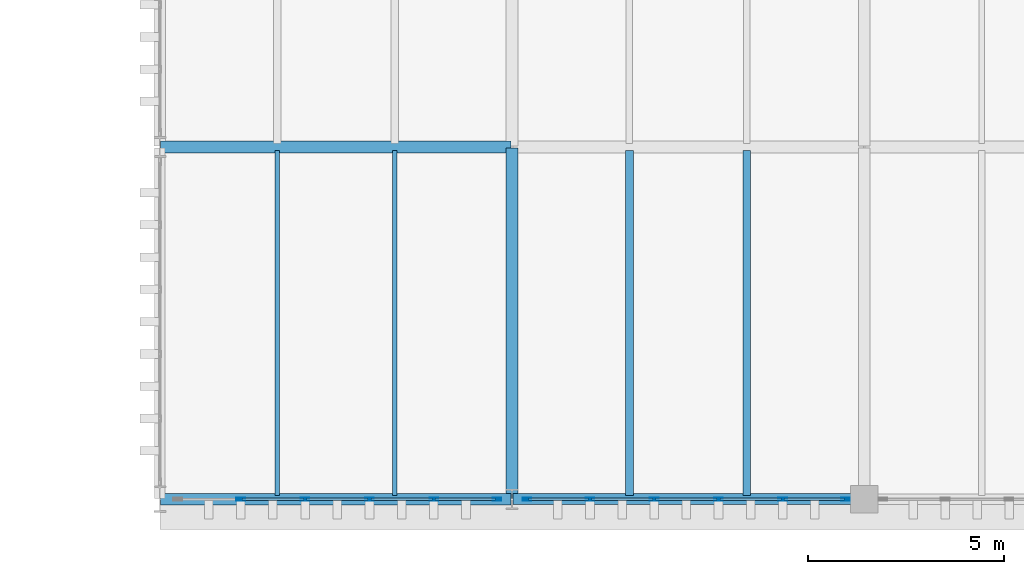
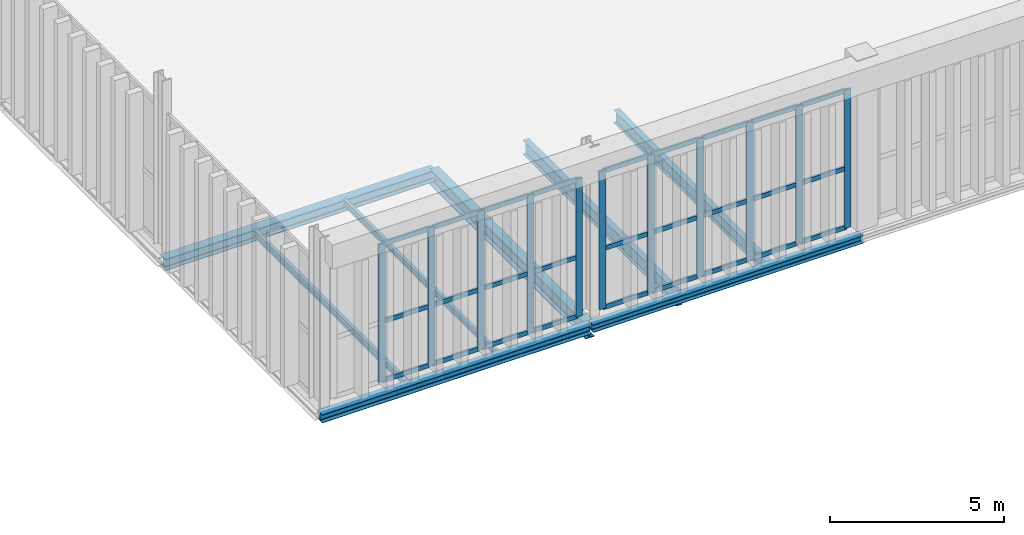
# One storey, part 112 of 237: 38 members, 8 beams, 2 elements without a shape of their own.
"""IFC4 building model written with IfcOpenShell, lengths in metres."""

from ifc_helpers import new_model, si_unit, direction, frame, origin, origin_2d, place, context, subcontext, project, spatial, hollow_rectangle, i_section, extrude, material, layer, layer_set, material_profile, profile_set, type_object, element, aggregate, save


model = new_model("IFC4")

# Units and contexts
model_context = context("Model", 3, precision=1e-05, world=origin(), true_north=direction((0.0, 1.0)))
body_context = subcontext(model_context, "Body", "Model", "MODEL_VIEW")
ifc_project = project(units=[si_unit("LENGTHUNIT", "METRE"), si_unit("AREAUNIT", "SQUARE_METRE"), si_unit("VOLUMEUNIT", "CUBIC_METRE"), si_unit("PLANEANGLEUNIT", "RADIAN"), si_unit("MASSUNIT", "GRAM", prefix="KILO")], contexts=[model_context])

# Site, building, storey
site_placement = place(None, origin())
site = spatial("IfcSite", under=ifc_project, at=site_placement, CompositionType="ELEMENT")
building_placement = place(site_placement, origin())
building = spatial("IfcBuilding", under=site, at=building_placement, Name="Barlavento Convention Centre", CompositionType="ELEMENT")
storey_placement = place(building_placement, frame((0.0, 0.0, 12.0)))
storey = spatial("IfcBuildingStorey", under=building, at=storey_placement, Name="L02", CompositionType="ELEMENT", Elevation=12.0)

# Curtain wall, members
ifc_material_1 = material(Name="Powder-coated aluminium and Low-E glass", Category="aluminium")
ifc_layer = layer(ifc_material_1, 0.195068359375)
ifc_layer_set = layer_set([ifc_layer], Name="ARC-CW-BALL-L02")
curtain_wall_type = type_object("IfcCurtainWallType", Name="ARC-CW-BALL-L02", PredefinedType="NOTDEFINED", material=ifc_layer_set)
curtain_wall_1_placement = place(storey_placement, origin())
curtain_wall_1 = element("IfcCurtainWall", 1, at=curtain_wall_1_placement, inside=storey, type_object=curtain_wall_type, Name="L02 unitised curtain wall CW07", PredefinedType="NOTDEFINED")
ifc_material_2 = material(Name="Powder-coated aluminium", Category="aluminium")
ifc_material_profile_1 = material_profile(ifc_material_2, hollow_rectangle(XDim=0.070068359375, YDim=0.219970703125, WallThickness=0.006103515625, at=origin_2d()), Name="AL-MULL 70x220x6")
ifc_profile_set_1 = profile_set([ifc_material_profile_1], Name="Powder-coated aluminium")
member_type_1 = type_object("IfcMemberType", Name="ARC-CWM-70X220", PredefinedType="MULLION", material=ifc_profile_set_1)
member_1_placement = place(storey_placement, frame((128.06884765625, 0.0, 0.0), z_axis=(0.0, 0.0, 1.0), x_axis=(0.0, 1.0, 0.0)))
member_1 = element("IfcMember", 2, at=member_1_placement, type_object=member_type_1, Name="CW07 mullion 2", PredefinedType="MULLION", context=body_context, shape_type="SweptSolid", body=[
    extrude(hollow_rectangle(XDim=0.070068359375, YDim=0.219970703125, WallThickness=0.006103515625, at=origin_2d()), origin(), (0.0, 0.0, 1.0), 4.85009765625),
])
member_2_placement = place(storey_placement, frame((129.713623046875, 0.0, 0.0), z_axis=(0.0, 0.0, 1.0), x_axis=(0.0, 1.0, 0.0)))
member_2 = element("IfcMember", 3, at=member_2_placement, type_object=member_type_1, Name="CW07 mullion 3", PredefinedType="MULLION", context=body_context, shape_type="SweptSolid", body=[
    extrude(hollow_rectangle(XDim=0.070068359375, YDim=0.219970703125, WallThickness=0.006103515625, at=origin_2d()), origin(), (0.0, 0.0, 1.0), 4.85009765625),
])
member_3_placement = place(storey_placement, frame((131.3583984375, 0.0, 0.0), z_axis=(0.0, 0.0, 1.0), x_axis=(0.0, 1.0, 0.0)))
member_3 = element("IfcMember", 4, at=member_3_placement, type_object=member_type_1, Name="CW07 mullion 4", PredefinedType="MULLION", context=body_context, shape_type="SweptSolid", body=[
    extrude(hollow_rectangle(XDim=0.070068359375, YDim=0.219970703125, WallThickness=0.006103515625, at=origin_2d()), origin(), (0.0, 0.0, 1.0), 4.85009765625),
])
member_4_placement = place(storey_placement, frame((133.003173828125, 0.0, 0.0), z_axis=(0.0, 0.0, 1.0), x_axis=(0.0, 1.0, 0.0)))
member_4 = element("IfcMember", 5, at=member_4_placement, type_object=member_type_1, Name="CW07 mullion 5", PredefinedType="MULLION", context=body_context, shape_type="SweptSolid", body=[
    extrude(hollow_rectangle(XDim=0.070068359375, YDim=0.219970703125, WallThickness=0.006103515625, at=origin_2d()), origin(), (0.0, 0.0, 1.0), 4.85009765625),
])
member_5_placement = place(storey_placement, frame((134.613037109375, 0.0, 0.0), z_axis=(0.0, 0.0, 1.0), x_axis=(0.0, 1.0, 0.0)))
member_5 = element("IfcMember", 6, at=member_5_placement, type_object=member_type_1, Name="CW07 mullion 6", PredefinedType="MULLION", context=body_context, shape_type="SweptSolid", body=[
    extrude(hollow_rectangle(XDim=0.070068359375, YDim=0.219970703125, WallThickness=0.006103515625, at=origin_2d()), origin(), (0.0, 0.0, 1.0), 4.85009765625),
])

curtain_wall_2_placement = place(storey_placement, origin())
curtain_wall_2 = element("IfcCurtainWall", 7, at=curtain_wall_2_placement, inside=storey, type_object=curtain_wall_type, Name="L02 unitised curtain wall CW07", PredefinedType="NOTDEFINED")
member_6_placement = place(storey_placement, frame((135.386962890625, 0.0, 0.0), z_axis=(0.0, 0.0, 1.0), x_axis=(0.0, 1.0, 0.0)))
member_6 = element("IfcMember", 8, at=member_6_placement, type_object=member_type_1, Name="CW07 mullion 1", PredefinedType="MULLION", context=body_context, shape_type="SweptSolid", body=[
    extrude(hollow_rectangle(XDim=0.070068359375, YDim=0.219970703125, WallThickness=0.006103515625, at=origin_2d()), origin(), (0.0, 0.0, 1.0), 4.85009765625),
])
member_7_placement = place(storey_placement, frame((136.99365234375, 0.0, 0.0), z_axis=(0.0, 0.0, 1.0), x_axis=(0.0, 1.0, 0.0)))
member_7 = element("IfcMember", 9, at=member_7_placement, type_object=member_type_1, Name="CW07 mullion 2", PredefinedType="MULLION", context=body_context, shape_type="SweptSolid", body=[
    extrude(hollow_rectangle(XDim=0.070068359375, YDim=0.219970703125, WallThickness=0.006103515625, at=origin_2d()), origin(), (0.0, 0.0, 1.0), 4.85009765625),
])
member_8_placement = place(storey_placement, frame((138.63525390625, 0.0, 0.0), z_axis=(0.0, 0.0, 1.0), x_axis=(0.0, 1.0, 0.0)))
member_8 = element("IfcMember", 10, at=member_8_placement, type_object=member_type_1, Name="CW07 mullion 3", PredefinedType="MULLION", context=body_context, shape_type="SweptSolid", body=[
    extrude(hollow_rectangle(XDim=0.070068359375, YDim=0.219970703125, WallThickness=0.006103515625, at=origin_2d()), origin(), (0.0, 0.0, 1.0), 4.85009765625),
])
member_9_placement = place(storey_placement, frame((140.27685546875, 0.0, 0.0), z_axis=(0.0, 0.0, 1.0), x_axis=(0.0, 1.0, 0.0)))
member_9 = element("IfcMember", 11, at=member_9_placement, type_object=member_type_1, Name="CW07 mullion 4", PredefinedType="MULLION", context=body_context, shape_type="SweptSolid", body=[
    extrude(hollow_rectangle(XDim=0.070068359375, YDim=0.219970703125, WallThickness=0.006103515625, at=origin_2d()), origin(), (0.0, 0.0, 1.0), 4.85009765625),
])
member_10_placement = place(storey_placement, frame((141.91845703125, 0.0, 0.0), z_axis=(0.0, 0.0, 1.0), x_axis=(0.0, 1.0, 0.0)))
member_10 = element("IfcMember", 12, at=member_10_placement, type_object=member_type_1, Name="CW07 mullion 5", PredefinedType="MULLION", context=body_context, shape_type="SweptSolid", body=[
    extrude(hollow_rectangle(XDim=0.070068359375, YDim=0.219970703125, WallThickness=0.006103515625, at=origin_2d()), origin(), (0.0, 0.0, 1.0), 4.85009765625),
])
member_11_placement = place(storey_placement, frame((143.52490234375, 0.0, 0.0), z_axis=(0.0, 0.0, 1.0), x_axis=(0.0, 1.0, 0.0)))
member_11 = element("IfcMember", 13, at=member_11_placement, type_object=member_type_1, Name="CW07 mullion 6", PredefinedType="MULLION", context=body_context, shape_type="SweptSolid", body=[
    extrude(hollow_rectangle(XDim=0.070068359375, YDim=0.219970703125, WallThickness=0.006103515625, at=origin_2d()), origin(), (0.0, 0.0, 1.0), 4.85009765625),
])

# Member
ifc_material_profile_2 = material_profile(ifc_material_2, hollow_rectangle(XDim=0.06494140625, YDim=0.159912109375, WallThickness=0.0048828125, at=origin_2d()), Name="AL-TRAN 65x160x5")
ifc_profile_set_2 = profile_set([ifc_material_profile_2], Name="Powder-coated aluminium")
member_type_2 = type_object("IfcMemberType", Name="ARC-CWT-65X160", PredefinedType="USERDEFINED", material=ifc_profile_set_2)
member_12_placement = place(storey_placement, frame((128.103759765625, 0.0, 0.032470703125), z_axis=(1.0, 0.0, 0.0), x_axis=(0.0, 1.0, 0.0)))
member_12 = element("IfcMember", 14, at=member_12_placement, type_object=member_type_2, Name="CW07 transom 2.1", ObjectType="TRANSOM", PredefinedType="USERDEFINED", context=body_context, shape_type="SweptSolid", body=[
    extrude(hollow_rectangle(XDim=0.06494140625, YDim=0.159912109375, WallThickness=0.0048828125, at=origin_2d()), origin(), (0.0, 0.0, 1.0), 1.574951171875),
])

member_13_placement = place(storey_placement, frame((128.103759765625, 0.0, 2.10009765625), z_axis=(1.0, 0.0, 0.0), x_axis=(0.0, 1.0, 0.0)))
member_13 = element("IfcMember", 15, at=member_13_placement, type_object=member_type_2, Name="CW07 transom 2.2", ObjectType="TRANSOM", PredefinedType="USERDEFINED", context=body_context, shape_type="SweptSolid", body=[
    extrude(hollow_rectangle(XDim=0.06494140625, YDim=0.159912109375, WallThickness=0.0048828125, at=origin_2d()), origin(), (0.0, 0.0, 1.0), 1.574951171875),
])

member_14_placement = place(storey_placement, frame((128.103759765625, 0.0, 4.8173828125), z_axis=(1.0, 0.0, 0.0), x_axis=(0.0, 1.0, 0.0)))
member_14 = element("IfcMember", 16, at=member_14_placement, type_object=member_type_2, Name="CW07 transom 2.3", ObjectType="TRANSOM", PredefinedType="USERDEFINED", context=body_context, shape_type="SweptSolid", body=[
    extrude(hollow_rectangle(XDim=0.06494140625, YDim=0.159912109375, WallThickness=0.0048828125, at=origin_2d()), origin(), (0.0, 0.0, 1.0), 1.574951171875),
])

member_15_placement = place(storey_placement, frame((129.74853515625, 0.0, 0.032470703125), z_axis=(1.0, 0.0, 0.0), x_axis=(0.0, 1.0, 0.0)))
member_15 = element("IfcMember", 17, at=member_15_placement, type_object=member_type_2, Name="CW07 transom 3.1", ObjectType="TRANSOM", PredefinedType="USERDEFINED", context=body_context, shape_type="SweptSolid", body=[
    extrude(hollow_rectangle(XDim=0.06494140625, YDim=0.159912109375, WallThickness=0.0048828125, at=origin_2d()), origin(), (0.0, 0.0, 1.0), 1.574951171875),
])

member_16_placement = place(storey_placement, frame((129.74853515625, 0.0, 2.10009765625), z_axis=(1.0, 0.0, 0.0), x_axis=(0.0, 1.0, 0.0)))
member_16 = element("IfcMember", 18, at=member_16_placement, type_object=member_type_2, Name="CW07 transom 3.2", ObjectType="TRANSOM", PredefinedType="USERDEFINED", context=body_context, shape_type="SweptSolid", body=[
    extrude(hollow_rectangle(XDim=0.06494140625, YDim=0.159912109375, WallThickness=0.0048828125, at=origin_2d()), origin(), (0.0, 0.0, 1.0), 1.574951171875),
])

member_17_placement = place(storey_placement, frame((129.74853515625, 0.0, 4.8173828125), z_axis=(1.0, 0.0, 0.0), x_axis=(0.0, 1.0, 0.0)))
member_17 = element("IfcMember", 19, at=member_17_placement, type_object=member_type_2, Name="CW07 transom 3.3", ObjectType="TRANSOM", PredefinedType="USERDEFINED", context=body_context, shape_type="SweptSolid", body=[
    extrude(hollow_rectangle(XDim=0.06494140625, YDim=0.159912109375, WallThickness=0.0048828125, at=origin_2d()), origin(), (0.0, 0.0, 1.0), 1.574951171875),
])

member_18_placement = place(storey_placement, frame((131.393310546875, 0.0, 0.032470703125), z_axis=(1.0, 0.0, 0.0), x_axis=(0.0, 1.0, 0.0)))
member_18 = element("IfcMember", 20, at=member_18_placement, type_object=member_type_2, Name="CW07 transom 4.1", ObjectType="TRANSOM", PredefinedType="USERDEFINED", context=body_context, shape_type="SweptSolid", body=[
    extrude(hollow_rectangle(XDim=0.06494140625, YDim=0.159912109375, WallThickness=0.0048828125, at=origin_2d()), origin(), (0.0, 0.0, 1.0), 1.574951171875),
])

member_19_placement = place(storey_placement, frame((131.393310546875, 0.0, 2.10009765625), z_axis=(1.0, 0.0, 0.0), x_axis=(0.0, 1.0, 0.0)))
member_19 = element("IfcMember", 21, at=member_19_placement, type_object=member_type_2, Name="CW07 transom 4.2", ObjectType="TRANSOM", PredefinedType="USERDEFINED", context=body_context, shape_type="SweptSolid", body=[
    extrude(hollow_rectangle(XDim=0.06494140625, YDim=0.159912109375, WallThickness=0.0048828125, at=origin_2d()), origin(), (0.0, 0.0, 1.0), 1.574951171875),
])

member_20_placement = place(storey_placement, frame((131.393310546875, 0.0, 4.8173828125), z_axis=(1.0, 0.0, 0.0), x_axis=(0.0, 1.0, 0.0)))
member_20 = element("IfcMember", 22, at=member_20_placement, type_object=member_type_2, Name="CW07 transom 4.3", ObjectType="TRANSOM", PredefinedType="USERDEFINED", context=body_context, shape_type="SweptSolid", body=[
    extrude(hollow_rectangle(XDim=0.06494140625, YDim=0.159912109375, WallThickness=0.0048828125, at=origin_2d()), origin(), (0.0, 0.0, 1.0), 1.574951171875),
])

member_21_placement = place(storey_placement, frame((133.0380859375, 0.0, 0.032470703125), z_axis=(1.0, 0.0, 0.0), x_axis=(0.0, 1.0, 0.0)))
member_21 = element("IfcMember", 23, at=member_21_placement, type_object=member_type_2, Name="CW07 transom 5.1", ObjectType="TRANSOM", PredefinedType="USERDEFINED", context=body_context, shape_type="SweptSolid", body=[
    extrude(hollow_rectangle(XDim=0.06494140625, YDim=0.159912109375, WallThickness=0.0048828125, at=origin_2d()), origin(), (0.0, 0.0, 1.0), 1.539794921875),
])

member_22_placement = place(storey_placement, frame((133.0380859375, 0.0, 2.10009765625), z_axis=(1.0, 0.0, 0.0), x_axis=(0.0, 1.0, 0.0)))
member_22 = element("IfcMember", 24, at=member_22_placement, type_object=member_type_2, Name="CW07 transom 5.2", ObjectType="TRANSOM", PredefinedType="USERDEFINED", context=body_context, shape_type="SweptSolid", body=[
    extrude(hollow_rectangle(XDim=0.06494140625, YDim=0.159912109375, WallThickness=0.0048828125, at=origin_2d()), origin(), (0.0, 0.0, 1.0), 1.539794921875),
])

member_23_placement = place(storey_placement, frame((133.0380859375, 0.0, 4.8173828125), z_axis=(1.0, 0.0, 0.0), x_axis=(0.0, 1.0, 0.0)))
member_23 = element("IfcMember", 25, at=member_23_placement, type_object=member_type_2, Name="CW07 transom 5.3", ObjectType="TRANSOM", PredefinedType="USERDEFINED", context=body_context, shape_type="SweptSolid", body=[
    extrude(hollow_rectangle(XDim=0.06494140625, YDim=0.159912109375, WallThickness=0.0048828125, at=origin_2d()), origin(), (0.0, 0.0, 1.0), 1.539794921875),
])

aggregate(curtain_wall_1, [member_1, member_2, member_3, member_4, member_5, member_12, member_13, member_14, member_15, member_16, member_17, member_18, member_19, member_20, member_21, member_22, member_23])

member_24_placement = place(storey_placement, frame((135.422119140625, 0.0, 0.032470703125), z_axis=(1.0, 0.0, 0.0), x_axis=(0.0, 1.0, 0.0)))
member_24 = element("IfcMember", 26, at=member_24_placement, type_object=member_type_2, Name="CW07 transom 1.1", ObjectType="TRANSOM", PredefinedType="USERDEFINED", context=body_context, shape_type="SweptSolid", body=[
    extrude(hollow_rectangle(XDim=0.06494140625, YDim=0.159912109375, WallThickness=0.0048828125, at=origin_2d()), origin(), (0.0, 0.0, 1.0), 1.536376953125),
])

member_25_placement = place(storey_placement, frame((135.422119140625, 0.0, 2.10009765625), z_axis=(1.0, 0.0, 0.0), x_axis=(0.0, 1.0, 0.0)))
member_25 = element("IfcMember", 27, at=member_25_placement, type_object=member_type_2, Name="CW07 transom 1.2", ObjectType="TRANSOM", PredefinedType="USERDEFINED", context=body_context, shape_type="SweptSolid", body=[
    extrude(hollow_rectangle(XDim=0.06494140625, YDim=0.159912109375, WallThickness=0.0048828125, at=origin_2d()), origin(), (0.0, 0.0, 1.0), 1.536376953125),
])

member_26_placement = place(storey_placement, frame((135.422119140625, 0.0, 4.8173828125), z_axis=(1.0, 0.0, 0.0), x_axis=(0.0, 1.0, 0.0)))
member_26 = element("IfcMember", 28, at=member_26_placement, type_object=member_type_2, Name="CW07 transom 1.3", ObjectType="TRANSOM", PredefinedType="USERDEFINED", context=body_context, shape_type="SweptSolid", body=[
    extrude(hollow_rectangle(XDim=0.06494140625, YDim=0.159912109375, WallThickness=0.0048828125, at=origin_2d()), origin(), (0.0, 0.0, 1.0), 1.536376953125),
])

member_27_placement = place(storey_placement, frame((137.028564453125, 0.0, 0.032470703125), z_axis=(1.0, 0.0, 0.0), x_axis=(0.0, 1.0, 0.0)))
member_27 = element("IfcMember", 29, at=member_27_placement, type_object=member_type_2, Name="CW07 transom 2.1", ObjectType="TRANSOM", PredefinedType="USERDEFINED", context=body_context, shape_type="SweptSolid", body=[
    extrude(hollow_rectangle(XDim=0.06494140625, YDim=0.159912109375, WallThickness=0.0048828125, at=origin_2d()), origin(), (0.0, 0.0, 1.0), 1.571533203125),
])

member_28_placement = place(storey_placement, frame((137.028564453125, 0.0, 2.10009765625), z_axis=(1.0, 0.0, 0.0), x_axis=(0.0, 1.0, 0.0)))
member_28 = element("IfcMember", 30, at=member_28_placement, type_object=member_type_2, Name="CW07 transom 2.2", ObjectType="TRANSOM", PredefinedType="USERDEFINED", context=body_context, shape_type="SweptSolid", body=[
    extrude(hollow_rectangle(XDim=0.06494140625, YDim=0.159912109375, WallThickness=0.0048828125, at=origin_2d()), origin(), (0.0, 0.0, 1.0), 1.571533203125),
])

member_29_placement = place(storey_placement, frame((137.028564453125, 0.0, 4.8173828125), z_axis=(1.0, 0.0, 0.0), x_axis=(0.0, 1.0, 0.0)))
member_29 = element("IfcMember", 31, at=member_29_placement, type_object=member_type_2, Name="CW07 transom 2.3", ObjectType="TRANSOM", PredefinedType="USERDEFINED", context=body_context, shape_type="SweptSolid", body=[
    extrude(hollow_rectangle(XDim=0.06494140625, YDim=0.159912109375, WallThickness=0.0048828125, at=origin_2d()), origin(), (0.0, 0.0, 1.0), 1.571533203125),
])

member_30_placement = place(storey_placement, frame((138.670166015625, 0.0, 0.032470703125), z_axis=(1.0, 0.0, 0.0), x_axis=(0.0, 1.0, 0.0)))
member_30 = element("IfcMember", 32, at=member_30_placement, type_object=member_type_2, Name="CW07 transom 3.1", ObjectType="TRANSOM", PredefinedType="USERDEFINED", context=body_context, shape_type="SweptSolid", body=[
    extrude(hollow_rectangle(XDim=0.06494140625, YDim=0.159912109375, WallThickness=0.0048828125, at=origin_2d()), origin(), (0.0, 0.0, 1.0), 1.571533203125),
])

member_31_placement = place(storey_placement, frame((138.670166015625, 0.0, 2.10009765625), z_axis=(1.0, 0.0, 0.0), x_axis=(0.0, 1.0, 0.0)))
member_31 = element("IfcMember", 33, at=member_31_placement, type_object=member_type_2, Name="CW07 transom 3.2", ObjectType="TRANSOM", PredefinedType="USERDEFINED", context=body_context, shape_type="SweptSolid", body=[
    extrude(hollow_rectangle(XDim=0.06494140625, YDim=0.159912109375, WallThickness=0.0048828125, at=origin_2d()), origin(), (0.0, 0.0, 1.0), 1.571533203125),
])

member_32_placement = place(storey_placement, frame((138.670166015625, 0.0, 4.8173828125), z_axis=(1.0, 0.0, 0.0), x_axis=(0.0, 1.0, 0.0)))
member_32 = element("IfcMember", 34, at=member_32_placement, type_object=member_type_2, Name="CW07 transom 3.3", ObjectType="TRANSOM", PredefinedType="USERDEFINED", context=body_context, shape_type="SweptSolid", body=[
    extrude(hollow_rectangle(XDim=0.06494140625, YDim=0.159912109375, WallThickness=0.0048828125, at=origin_2d()), origin(), (0.0, 0.0, 1.0), 1.571533203125),
])

member_33_placement = place(storey_placement, frame((140.311767578125, 0.0, 0.032470703125), z_axis=(1.0, 0.0, 0.0), x_axis=(0.0, 1.0, 0.0)))
member_33 = element("IfcMember", 35, at=member_33_placement, type_object=member_type_2, Name="CW07 transom 4.1", ObjectType="TRANSOM", PredefinedType="USERDEFINED", context=body_context, shape_type="SweptSolid", body=[
    extrude(hollow_rectangle(XDim=0.06494140625, YDim=0.159912109375, WallThickness=0.0048828125, at=origin_2d()), origin(), (0.0, 0.0, 1.0), 1.571533203125),
])

member_34_placement = place(storey_placement, frame((140.311767578125, 0.0, 2.10009765625), z_axis=(1.0, 0.0, 0.0), x_axis=(0.0, 1.0, 0.0)))
member_34 = element("IfcMember", 36, at=member_34_placement, type_object=member_type_2, Name="CW07 transom 4.2", ObjectType="TRANSOM", PredefinedType="USERDEFINED", context=body_context, shape_type="SweptSolid", body=[
    extrude(hollow_rectangle(XDim=0.06494140625, YDim=0.159912109375, WallThickness=0.0048828125, at=origin_2d()), origin(), (0.0, 0.0, 1.0), 1.571533203125),
])

member_35_placement = place(storey_placement, frame((140.311767578125, 0.0, 4.8173828125), z_axis=(1.0, 0.0, 0.0), x_axis=(0.0, 1.0, 0.0)))
member_35 = element("IfcMember", 37, at=member_35_placement, type_object=member_type_2, Name="CW07 transom 4.3", ObjectType="TRANSOM", PredefinedType="USERDEFINED", context=body_context, shape_type="SweptSolid", body=[
    extrude(hollow_rectangle(XDim=0.06494140625, YDim=0.159912109375, WallThickness=0.0048828125, at=origin_2d()), origin(), (0.0, 0.0, 1.0), 1.571533203125),
])

member_36_placement = place(storey_placement, frame((141.953369140625, 0.0, 0.032470703125), z_axis=(1.0, 0.0, 0.0), x_axis=(0.0, 1.0, 0.0)))
member_36 = element("IfcMember", 38, at=member_36_placement, type_object=member_type_2, Name="CW07 transom 5.1", ObjectType="TRANSOM", PredefinedType="USERDEFINED", context=body_context, shape_type="SweptSolid", body=[
    extrude(hollow_rectangle(XDim=0.06494140625, YDim=0.159912109375, WallThickness=0.0048828125, at=origin_2d()), origin(), (0.0, 0.0, 1.0), 1.53662109375),
])

member_37_placement = place(storey_placement, frame((141.953369140625, 0.0, 2.10009765625), z_axis=(1.0, 0.0, 0.0), x_axis=(0.0, 1.0, 0.0)))
member_37 = element("IfcMember", 39, at=member_37_placement, type_object=member_type_2, Name="CW07 transom 5.2", ObjectType="TRANSOM", PredefinedType="USERDEFINED", context=body_context, shape_type="SweptSolid", body=[
    extrude(hollow_rectangle(XDim=0.06494140625, YDim=0.159912109375, WallThickness=0.0048828125, at=origin_2d()), origin(), (0.0, 0.0, 1.0), 1.53662109375),
])

member_38_placement = place(storey_placement, frame((141.953369140625, 0.0, 4.8173828125), z_axis=(1.0, 0.0, 0.0), x_axis=(0.0, 1.0, 0.0)))
member_38 = element("IfcMember", 40, at=member_38_placement, type_object=member_type_2, Name="CW07 transom 5.3", ObjectType="TRANSOM", PredefinedType="USERDEFINED", context=body_context, shape_type="SweptSolid", body=[
    extrude(hollow_rectangle(XDim=0.06494140625, YDim=0.159912109375, WallThickness=0.0048828125, at=origin_2d()), origin(), (0.0, 0.0, 1.0), 1.53662109375),
])

aggregate(curtain_wall_2, [member_6, member_7, member_8, member_9, member_10, member_11, member_24, member_25, member_26, member_27, member_28, member_29, member_30, member_31, member_32, member_33, member_34, member_35, member_36, member_37, member_38])

# Beams
ifc_material_3 = material(Name="Steel S355", Category="steel")
ifc_material_profile_3 = material_profile(ifc_material_3, i_section(OverallWidth=0.110107421875, OverallDepth=0.219970703125, WebThickness=0.005859375, FlangeThickness=0.00927734375, FilletRadius=0.011962890625, at=origin_2d()), Name="IPE 220")
ifc_profile_set_3 = profile_set([ifc_material_profile_3], Name="Steel S355")
beam_type_1 = type_object("IfcBeamType", Name="STR-BM-JST-IPE220", PredefinedType="JOIST", material=ifc_profile_set_3)
beam_1_placement = place(storey_placement, frame((132.0, 0.094970703125, -0.47998046875), z_axis=(0.0, 1.0, 0.0), x_axis=(-1.0, 0.0, 0.0)))
element("IfcBeam", 41, at=beam_1_placement, inside=storey, type_object=beam_type_1, Name="L02 composite floor joist SJ10", PredefinedType="JOIST", context=body_context, shape_type="SweptSolid", body=[
    extrude(i_section(OverallWidth=0.110107421875, OverallDepth=0.219970703125, WebThickness=0.005859375, FlangeThickness=0.00927734375, FilletRadius=0.011962890625, at=origin_2d()), origin(), (0.0, 0.0, 1.0), 8.81005859375),
])
ifc_material_profile_4 = material_profile(ifc_material_3, i_section(OverallWidth=0.1201171875, OverallDepth=0.239990234375, WebThickness=0.006103515625, FlangeThickness=0.009765625, FilletRadius=0.014892578125, at=origin_2d()), Name="IPE 240")
ifc_profile_set_4 = profile_set([ifc_material_profile_4], Name="Steel S355")
beam_type_2 = type_object("IfcBeamType", Name="STR-BM-JST-IPE240", PredefinedType="JOIST", material=ifc_profile_set_4)
beam_2_placement = place(storey_placement, frame((129.0, 0.094970703125, -0.489990234375), z_axis=(0.0, 1.0, 0.0), x_axis=(-1.0, 0.0, 0.0)))
element("IfcBeam", 42, at=beam_2_placement, inside=storey, type_object=beam_type_2, Name="L02 composite floor joist SJ09", PredefinedType="JOIST", context=body_context, shape_type="SweptSolid", body=[
    extrude(i_section(OverallWidth=0.1201171875, OverallDepth=0.239990234375, WebThickness=0.006103515625, FlangeThickness=0.009765625, FilletRadius=0.014892578125, at=origin_2d()), origin(), (0.0, 0.0, 1.0), 8.81005859375),
])
ifc_material_profile_5 = material_profile(ifc_material_3, i_section(OverallWidth=0.18994140625, OverallDepth=0.449951171875, WebThickness=0.009521484375, FlangeThickness=0.0146484375, FilletRadius=0.02099609375, at=origin_2d()), Name="IPE 450")
ifc_profile_set_5 = profile_set([ifc_material_profile_5], Name="Steel S355")
beam_type_3 = type_object("IfcBeamType", Name="STR-BM-JST-IPE450", PredefinedType="JOIST", material=ifc_profile_set_5)
beam_3_placement = place(storey_placement, frame((141.0, 0.094970703125, -0.594970703125), z_axis=(0.0, 1.0, 0.0), x_axis=(-1.0, 0.0, 0.0)))
element("IfcBeam", 43, at=beam_3_placement, inside=storey, type_object=beam_type_3, Name="L02 composite floor joist SJ03", PredefinedType="JOIST", context=body_context, shape_type="SweptSolid", body=[
    extrude(i_section(OverallWidth=0.18994140625, OverallDepth=0.449951171875, WebThickness=0.009521484375, FlangeThickness=0.0146484375, FilletRadius=0.02099609375, at=origin_2d()), origin(), (0.0, 0.0, 1.0), 8.81005859375),
])
ifc_material_profile_6 = material_profile(ifc_material_3, i_section(OverallWidth=0.199951171875, OverallDepth=0.5, WebThickness=0.01025390625, FlangeThickness=0.01611328125, FilletRadius=0.02099609375, at=origin_2d()), Name="IPE 500")
ifc_profile_set_6 = profile_set([ifc_material_profile_6], Name="Steel S355")
beam_type_4 = type_object("IfcBeamType", Name="STR-BM-JST-IPE500", PredefinedType="JOIST", material=ifc_profile_set_6)
beam_4_placement = place(storey_placement, frame((138.0, 0.094970703125, -0.6201171875), z_axis=(0.0, 1.0, 0.0), x_axis=(-1.0, 0.0, 0.0)))
element("IfcBeam", 44, at=beam_4_placement, inside=storey, type_object=beam_type_4, Name="L02 composite floor joist SJ02", PredefinedType="JOIST", context=body_context, shape_type="SweptSolid", body=[
    extrude(i_section(OverallWidth=0.199951171875, OverallDepth=0.5, WebThickness=0.01025390625, FlangeThickness=0.01611328125, FilletRadius=0.02099609375, at=origin_2d()), origin(), (0.0, 0.0, 1.0), 8.81005859375),
])
ifc_material_profile_7 = material_profile(ifc_material_3, i_section(OverallWidth=0.300048828125, OverallDepth=0.5400390625, WebThickness=0.012451171875, FlangeThickness=0.02392578125, FilletRadius=0.027099609375, at=origin_2d()), Name="HEA 550")
ifc_profile_set_7 = profile_set([ifc_material_profile_7], Name="Steel S355")
beam_type_5 = type_object("IfcBeamType", Name="STR-BM-PRI-HEA550", PredefinedType="BEAM", material=ifc_profile_set_7)
beam_5_placement = place(storey_placement, frame((135.0, 0.02001953125, -0.639892578125), z_axis=(0.0, 1.0, 0.0), x_axis=(-1.0, 0.0, 0.0)))
element("IfcBeam", 45, at=beam_5_placement, inside=storey, type_object=beam_type_5, Name="L02 grid girder BG19", PredefinedType="BEAM", context=body_context, shape_type="SweptSolid", body=[
    extrude(i_section(OverallWidth=0.300048828125, OverallDepth=0.5400390625, WebThickness=0.012451171875, FlangeThickness=0.02392578125, FilletRadius=0.027099609375, at=origin_2d()), origin(), (0.0, 0.0, 1.0), 8.9599609375),
])
ifc_material_profile_8 = material_profile(ifc_material_3, i_section(OverallWidth=0.300048828125, OverallDepth=0.39990234375, WebThickness=0.013427734375, FlangeThickness=0.02392578125, FilletRadius=0.027099609375, at=origin_2d()), Name="HEB 400")
ifc_profile_set_8 = profile_set([ifc_material_profile_8], Name="Steel S355")
beam_type_6 = type_object("IfcBeamType", Name="STR-BM-PRI-HEB400", PredefinedType="BEAM", material=ifc_profile_set_8)
beam_6_placement = place(storey_placement, frame((126.02001953125, 9.0, -0.570068359375), z_axis=(1.0, 0.0, 0.0), x_axis=(0.0, 1.0, 0.0)))
element("IfcBeam", 46, at=beam_6_placement, inside=storey, type_object=beam_type_6, Name="L02 primary girder BG11", PredefinedType="BEAM", context=body_context, shape_type="SweptSolid", body=[
    extrude(i_section(OverallWidth=0.300048828125, OverallDepth=0.39990234375, WebThickness=0.013427734375, FlangeThickness=0.02392578125, FilletRadius=0.027099609375, at=origin_2d()), origin(), (0.0, 0.0, 1.0), 8.9599609375),
])
ifc_material_profile_9 = material_profile(ifc_material_3, i_section(OverallWidth=0.280029296875, OverallDepth=0.27001953125, WebThickness=0.008056640625, FlangeThickness=0.012939453125, FilletRadius=0.02392578125, at=origin_2d()), Name="HEA 280")
ifc_profile_set_9 = profile_set([ifc_material_profile_9], Name="Steel S355")
beam_type_7 = type_object("IfcBeamType", Name="STR-BM-SPN-HEA280", PredefinedType="SPANDREL", material=ifc_profile_set_9)
beam_7_placement = place(storey_placement, frame((135.02001953125, 0.0, -0.5048828125), z_axis=(1.0, 0.0, 0.0), x_axis=(0.0, 1.0, 0.0)))
element("IfcBeam", 47, at=beam_7_placement, inside=storey, type_object=beam_type_7, Name="L02 primary girder SP03", PredefinedType="SPANDREL", context=body_context, shape_type="SweptSolid", body=[
    extrude(i_section(OverallWidth=0.280029296875, OverallDepth=0.27001953125, WebThickness=0.008056640625, FlangeThickness=0.012939453125, FilletRadius=0.02392578125, at=origin_2d()), origin(), (0.0, 0.0, 1.0), 8.9599609375),
])
ifc_material_profile_10 = material_profile(ifc_material_3, i_section(OverallWidth=0.300048828125, OverallDepth=0.2900390625, WebThickness=0.008544921875, FlangeThickness=0.013916015625, FilletRadius=0.027099609375, at=origin_2d()), Name="HEA 300")
ifc_profile_set_10 = profile_set([ifc_material_profile_10], Name="Steel S355")
beam_type_8 = type_object("IfcBeamType", Name="STR-BM-SPN-HEA300", PredefinedType="SPANDREL", material=ifc_profile_set_10)
beam_8_placement = place(storey_placement, frame((126.02001953125, 0.0, -0.514892578125), z_axis=(1.0, 0.0, 0.0), x_axis=(0.0, 1.0, 0.0)))
element("IfcBeam", 48, at=beam_8_placement, inside=storey, type_object=beam_type_8, Name="L02 primary girder SP02", PredefinedType="SPANDREL", context=body_context, shape_type="SweptSolid", body=[
    extrude(i_section(OverallWidth=0.300048828125, OverallDepth=0.2900390625, WebThickness=0.008544921875, FlangeThickness=0.013916015625, FilletRadius=0.027099609375, at=origin_2d()), origin(), (0.0, 0.0, 1.0), 8.9599609375),
])

save(model, "model.ifc")
